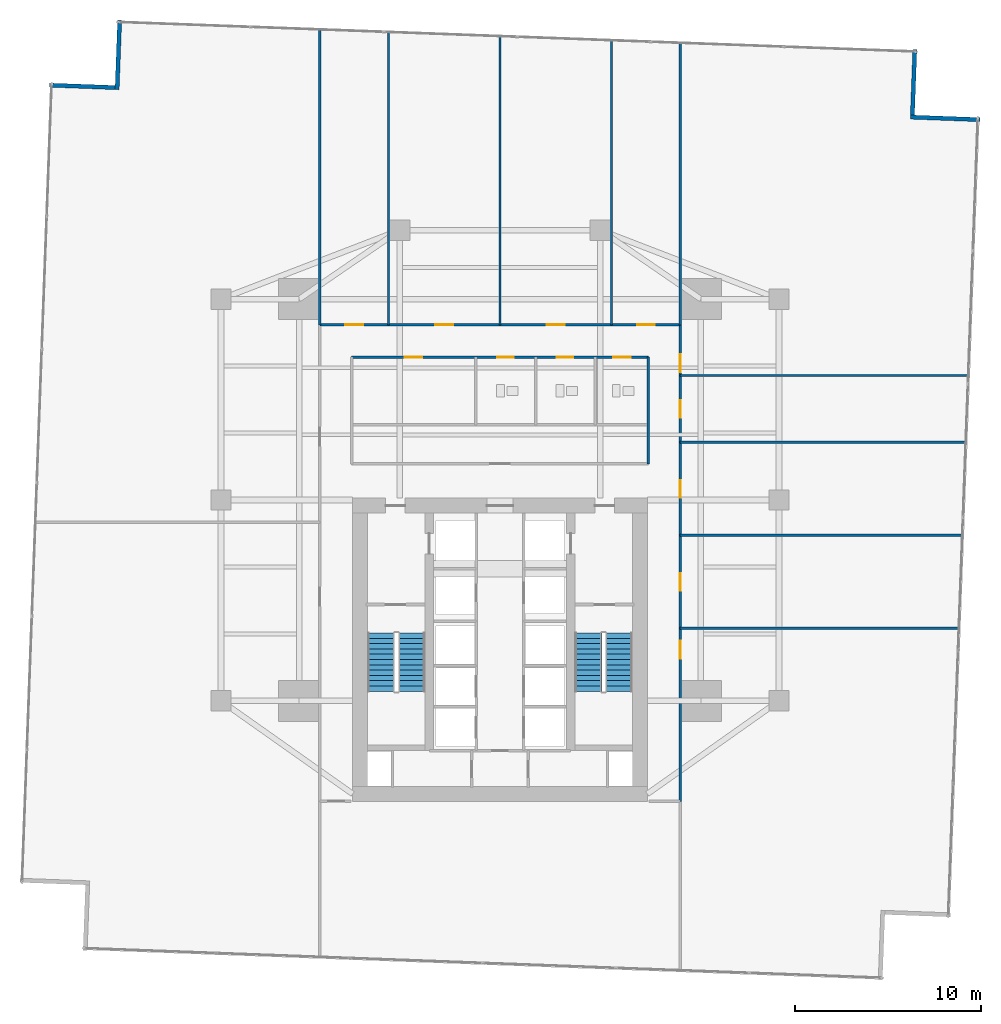
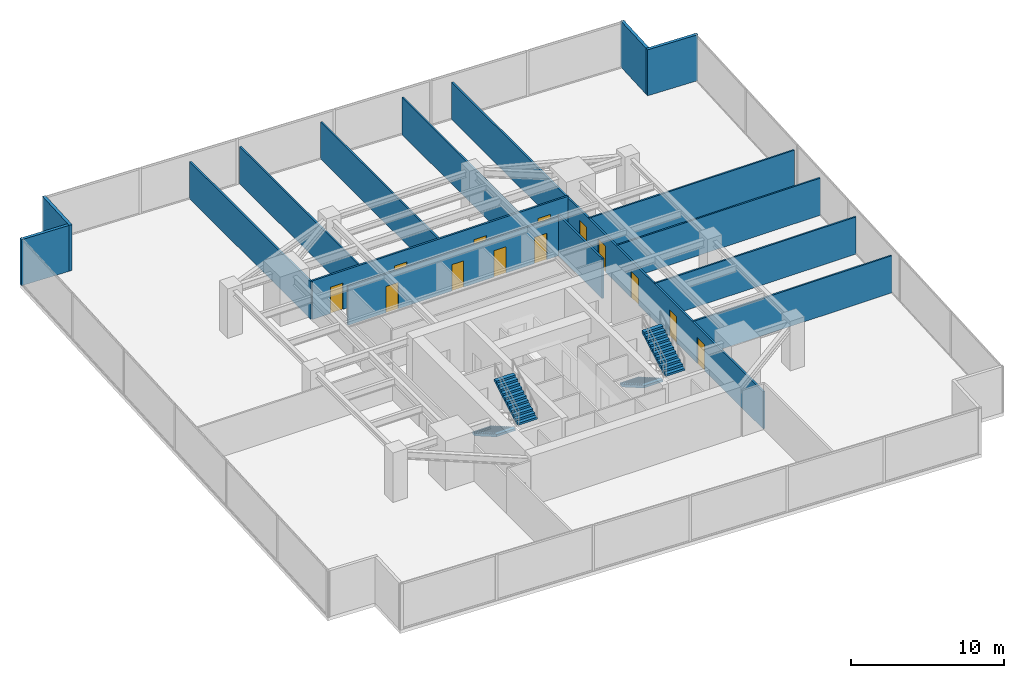
# One storey, part 28 of 30: 17 walls, 13 doors, 4 stair flights, 13 openings, 2 elements without a shape of their own.
"""IFC4 building model written with IfcOpenShell, lengths in metres."""

from ifc_helpers import new_model, si_unit, direction, frame, frame_2d, origin, place, context, subcontext, project, spatial, polyline, rectangle, outline, extrude, material, layer, layer_set, type_object, element, fill, aggregate, save


model = new_model("IFC4")

# Units and contexts
model_context = context("Model", 3, precision=1e-05, world=origin(), true_north=direction((0.0, 1.0)))
body_context = subcontext(model_context, "Body", "Model", "MODEL_VIEW")
ifc_project = project(units=[si_unit("LENGTHUNIT", "METRE"), si_unit("AREAUNIT", "SQUARE_METRE"), si_unit("VOLUMEUNIT", "CUBIC_METRE"), si_unit("PLANEANGLEUNIT", "RADIAN"), si_unit("MASSUNIT", "GRAM", prefix="KILO")], contexts=[model_context])

# Site, building, storey
site_placement = place(None, origin())
site = spatial("IfcSite", under=ifc_project, at=site_placement, CompositionType="ELEMENT")
building_placement = place(site_placement, origin())
building = spatial("IfcBuilding", under=site, at=building_placement, Name="Krantzveldt Concourse Tower", CompositionType="ELEMENT")
storey_placement = place(building_placement, frame((0.0, 0.0, 40.800048828125)))
storey = spatial("IfcBuildingStorey", under=building, at=storey_placement, Name="L09", CompositionType="ELEMENT", Elevation=40.800048828125)

# Walls
ifc_material_1 = material(Name="Anodised aluminium 6063-T6", Category="aluminium")
ifc_layer_1 = layer(ifc_material_1, 0.219970703125, Name="Anodised aluminium 6063-T6", Category="aluminium")
ifc_layer_set_1 = layer_set([ifc_layer_1], Name="Anodised aluminium 6063-T6 (WL-EXT-NOTCH220)")
wall_type_1 = type_object("IfcWallType", Name="WL-EXT-NOTCH220", PredefinedType="ELEMENTEDWALL", material=ifc_layer_set_1)
wall_1_placement = place(storey_placement, frame((15.307861328125, 48.87255859375, 0.0), z_axis=(0.0, 0.0, 1.0), x_axis=(-0.999313219865, 0.03705521019, 0.0)))
element("IfcWall", 1, at=wall_1_placement, inside=storey, type_object=wall_type_1, Name="EW-L09-NCH00", PredefinedType="ELEMENTEDWALL", context=body_context, shape_type="SweptSolid", body=[
    extrude(rectangle(XDim=3.52490234375, YDim=0.219970703125, at=frame_2d((1.762451171875, 0.0))), origin(), (0.0, 0.0, 1.0), 3.669921875),
])
wall_2_placement = place(storey_placement, frame((61.801025390625, 47.1474609375, 0.0), z_axis=(0.0, 0.0, 1.0), x_axis=(-0.999314208504, 0.037028538746, 0.0)))
element("IfcWall", 2, at=wall_2_placement, inside=storey, type_object=wall_type_1, Name="EW-L09-NCH08", PredefinedType="ELEMENTEDWALL", context=body_context, shape_type="SweptSolid", body=[
    extrude(rectangle(XDim=3.7451171875, YDim=0.219970703125, at=frame_2d((1.87255859375, 0.0))), origin(), (0.0, 0.0, 1.0), 3.669921875),
])
wall_3_placement = place(storey_placement, frame((58.172607421875, 47.39208984375, 0.0), z_axis=(0.0, 0.0, 1.0), x_axis=(0.03705521019, 0.999313219865, 0.0)))
element("IfcWall", 3, at=wall_3_placement, inside=storey, type_object=wall_type_1, Name="EW-L09-NCH09", PredefinedType="ELEMENTEDWALL", context=body_context, shape_type="SweptSolid", body=[
    extrude(rectangle(XDim=3.52490234375, YDim=0.219970703125, at=frame_2d((1.762451171875, 0.0))), origin(), (0.0, 0.0, 1.0), 3.669921875),
])
wall_4_placement = place(storey_placement, frame((15.552734375, 52.5009765625, 0.0), z_axis=(0.0, 0.0, 1.0), x_axis=(-0.037093640215, -0.999311794114, 0.0)))
element("IfcWall", 4, at=wall_4_placement, inside=storey, type_object=wall_type_1, Name="EW-L09-NCH11", PredefinedType="ELEMENTEDWALL", context=body_context, shape_type="SweptSolid", body=[
    extrude(rectangle(XDim=3.7451171875, YDim=0.219970703125, at=frame_2d((1.87255859375, 0.0))), origin(), (0.0, 0.0, 1.0), 3.669921875),
])
ifc_material_2 = material(Name="Fire-rated gypsum plasterboard on steel stud", Category="steel")
ifc_layer_2 = layer(ifc_material_2, 0.1201171875, Name="Fire-rated gypsum plasterboard on steel stud", Category="steel")
ifc_layer_set_2 = layer_set([ifc_layer_2], Name="Fire-rated gypsum plasterboard on steel stud (WL-PART-120)")
wall_type_2 = type_object("IfcWallType", Name="WL-PART-120", PredefinedType="PARTITIONING", material=ifc_layer_set_2)
wall_5_placement = place(storey_placement, frame((30.0, 36.1201171875, 0.0), z_axis=(0.0, 0.0, 1.0), x_axis=(0.0, 1.0, 0.0)))
element("IfcWall", 5, at=wall_5_placement, inside=storey, type_object=wall_type_2, Name="WP-L09-ND1", PredefinedType="PARTITIONING", context=body_context, shape_type="SweptSolid", body=[
    extrude(rectangle(XDim=15.729736328125, YDim=0.1201171875, at=frame_2d((7.86474609375, 0.0))), origin(), (0.0, 0.0, 1.0), 2.969970703125),
])
wall_6_placement = place(storey_placement, frame((36.0, 36.1201171875, 0.0), z_axis=(0.0, 0.0, 1.0), x_axis=(0.0, 1.0, 0.0)))
element("IfcWall", 6, at=wall_6_placement, inside=storey, type_object=wall_type_2, Name="WP-L09-ND2", PredefinedType="PARTITIONING", context=body_context, shape_type="SweptSolid", body=[
    extrude(rectangle(XDim=15.507080078125, YDim=0.1201171875, at=frame_2d((7.75341796875, 0.0))), origin(), (0.0, 0.0, 1.0), 2.969970703125),
])
wall_7_placement = place(storey_placement, frame((42.0, 36.1201171875, 0.0), z_axis=(0.0, 0.0, 1.0), x_axis=(0.0, 1.0, 0.0)))
element("IfcWall", 7, at=wall_7_placement, inside=storey, type_object=wall_type_2, Name="WP-L09-ND3", PredefinedType="PARTITIONING", context=body_context, shape_type="SweptSolid", body=[
    extrude(rectangle(XDim=15.284423828125, YDim=0.1201171875, at=frame_2d((7.64208984375, 0.0))), origin(), (0.0, 0.0, 1.0), 2.969970703125),
])
wall_8_placement = place(storey_placement, frame((45.679931640625, 19.800048828125, 0.0), z_axis=(0.0, 0.0, 1.0), x_axis=(1.0, 0.0, 0.0)))
element("IfcWall", 8, at=wall_8_placement, inside=storey, type_object=wall_type_2, Name="WP-L09-ED1", PredefinedType="PARTITIONING", context=body_context, shape_type="SweptSolid", body=[
    extrude(rectangle(XDim=14.9912109375, YDim=0.1201171875, at=frame_2d((7.49560546875, 0.0))), origin(), (0.0, 0.0, 1.0), 2.969970703125),
])
wall_9_placement = place(storey_placement, frame((45.679931640625, 24.800048828125, 0.0), z_axis=(0.0, 0.0, 1.0), x_axis=(1.0, 0.0, 0.0)))
element("IfcWall", 9, at=wall_9_placement, inside=storey, type_object=wall_type_2, Name="WP-L09-ED2", PredefinedType="PARTITIONING", context=body_context, shape_type="SweptSolid", body=[
    extrude(rectangle(XDim=15.1767578125, YDim=0.1201171875, at=frame_2d((7.58837890625, 0.0))), origin(), (0.0, 0.0, 1.0), 2.969970703125),
])
wall_10_placement = place(storey_placement, frame((45.679931640625, 29.800048828125, 0.0), z_axis=(0.0, 0.0, 1.0), x_axis=(1.0, 0.0, 0.0)))
element("IfcWall", 10, at=wall_10_placement, inside=storey, type_object=wall_type_2, Name="WP-L09-ED3", PredefinedType="PARTITIONING", context=body_context, shape_type="SweptSolid", body=[
    extrude(rectangle(XDim=15.3623046875, YDim=0.1201171875, at=frame_2d((7.68115234375, 0.0))), origin(), (0.0, 0.0, 1.0), 2.969970703125),
])
wall_11_placement = place(storey_placement, frame((45.679931640625, 33.39990234375, 0.0), z_axis=(0.0, 0.0, 1.0), x_axis=(1.0, 0.0, 0.0)))
element("IfcWall", 11, at=wall_11_placement, inside=storey, type_object=wall_type_2, Name="WP-L09-ED4", PredefinedType="PARTITIONING", context=body_context, shape_type="SweptSolid", body=[
    extrude(rectangle(XDim=15.495849609375, YDim=0.1201171875, at=frame_2d((7.748046875, 0.0))), origin(), (0.0, 0.0, 1.0), 2.969970703125),
])

# Wall, openings, doors
ifc_layer_3 = layer(ifc_material_2, 0.139892578125, Name="Fire-rated gypsum plasterboard on steel stud", Category="steel")
ifc_layer_set_3 = layer_set([ifc_layer_3], Name="Fire-rated gypsum plasterboard on steel stud (WL-PART-140)")
wall_type_3 = type_object("IfcWallType", Name="WL-PART-140", PredefinedType="PARTITIONING", material=ifc_layer_set_3)
wall_12_placement = place(storey_placement, frame((28.02001953125, 34.3798828125, 0.0), z_axis=(0.0, 0.0, 1.0), x_axis=(1.0, 0.0, 0.0)))
wall_12 = element("IfcWall", 12, at=wall_12_placement, inside=storey, type_object=wall_type_3, Name="WP-L09-ISLN", PredefinedType="PARTITIONING", context=body_context, shape_type="SweptSolid", body=[
    extrude(rectangle(XDim=15.9599609375, YDim=0.139892578125, at=frame_2d((7.97998046875, 0.0))), origin(), (0.0, 0.0, 1.0), 3.079833984375),
])
opening_1_placement = place(wall_12_placement, frame((7.830078125, 0.0, 0.0)))
opening_1 = element("IfcOpeningElement", 13, at=opening_1_placement, cuts=wall_12, Name="Opening D-IN090", PredefinedType="OPENING", context=body_context, shape_type="SweptSolid", body=[
    extrude(rectangle(XDim=0.89990234375, YDim=2.10009765625, at=frame_2d((0.449951171875, 1.050048828125))), frame((0.0, 0.080078125, 0.0), z_axis=(0.0, -1.0, 0.0), x_axis=(1.0, 0.0, 0.0)), (0.0, 0.0, 1.0), 0.159912109375),
])
opening_2_placement = place(wall_12_placement, frame((11.030029296875, 0.0, 0.0)))
opening_2 = element("IfcOpeningElement", 14, at=opening_2_placement, cuts=wall_12, Name="Opening D-IN090", PredefinedType="OPENING", context=body_context, shape_type="SweptSolid", body=[
    extrude(rectangle(XDim=0.89990234375, YDim=2.10009765625, at=frame_2d((0.449951171875, 1.050048828125))), frame((0.0, 0.080078125, 0.0), z_axis=(0.0, -1.0, 0.0), x_axis=(1.0, 0.0, 0.0)), (0.0, 0.0, 1.0), 0.159912109375),
])
opening_3_placement = place(wall_12_placement, frame((14.054931640625, 0.0, 0.0)))
opening_3 = element("IfcOpeningElement", 15, at=opening_3_placement, cuts=wall_12, Name="Opening D-IN095", PredefinedType="OPENING", context=body_context, shape_type="SweptSolid", body=[
    extrude(rectangle(XDim=0.949951171875, YDim=2.10009765625, at=frame_2d((0.47509765625, 1.050048828125))), frame((0.0, 0.080078125, 0.0), z_axis=(0.0, -1.0, 0.0), x_axis=(1.0, 0.0, 0.0)), (0.0, 0.0, 1.0), 0.159912109375),
])
opening_4_placement = place(wall_12_placement, frame((2.85498046875, 0.0, 0.0)))
opening_4 = element("IfcOpeningElement", 16, at=opening_4_placement, cuts=wall_12, Name="Opening D-IN095", PredefinedType="OPENING", context=body_context, shape_type="SweptSolid", body=[
    extrude(rectangle(XDim=0.949951171875, YDim=2.10009765625, at=frame_2d((0.47509765625, 1.050048828125))), frame((0.0, 0.080078125, 0.0), z_axis=(0.0, -1.0, 0.0), x_axis=(1.0, 0.0, 0.0)), (0.0, 0.0, 1.0), 0.159912109375),
])
ifc_material_3 = material(Name="Hardwood timber", Category="wood")
door_type_1 = type_object("IfcDoorType", Name="DR-INT-900", OperationType="SINGLE_SWING_LEFT", PredefinedType="DOOR", material=ifc_material_3)
door_1_placement = place(opening_1_placement, origin())
door_1 = element("IfcDoor", 17, at=door_1_placement, inside=storey, type_object=door_type_1, Name="DR-L09-WCM", OperationType="SINGLE_SWING_LEFT", OverallHeight=2.10009765625, OverallWidth=0.89990234375, PredefinedType="DOOR", context=body_context, shape_type="SweptSolid", body=[
    extrude(rectangle(XDim=0.89990234375, YDim=2.10009765625, at=frame_2d((0.449951171875, 1.050048828125))), frame((0.0, 0.02490234375, 0.0), z_axis=(0.0, -1.0, 0.0), x_axis=(1.0, 0.0, 0.0)), (0.0, 0.0, 1.0), 0.050048828125),
])
fill(opening_1, door_1)
door_2_placement = place(opening_2_placement, origin())
door_2 = element("IfcDoor", 18, at=door_2_placement, inside=storey, type_object=door_type_1, Name="DR-L09-WCF", OperationType="SINGLE_SWING_RIGHT", OverallHeight=2.10009765625, OverallWidth=0.89990234375, PredefinedType="DOOR", context=body_context, shape_type="SweptSolid", body=[
    extrude(rectangle(XDim=0.89990234375, YDim=2.10009765625, at=frame_2d((0.449951171875, 1.050048828125))), frame((0.0, 0.02490234375, 0.0), z_axis=(0.0, -1.0, 0.0), x_axis=(1.0, 0.0, 0.0)), (0.0, 0.0, 1.0), 0.050048828125),
])
fill(opening_2, door_2)
door_type_2 = type_object("IfcDoorType", Name="DR-INT-950", OperationType="SINGLE_SWING_LEFT", PredefinedType="DOOR", material=ifc_material_3)
door_3_placement = place(opening_3_placement, origin())
door_3 = element("IfcDoor", 19, at=door_3_placement, inside=storey, type_object=door_type_2, Name="DR-L09-WCA", OperationType="SINGLE_SWING_LEFT", OverallHeight=2.10009765625, OverallWidth=0.949951171875, PredefinedType="DOOR", context=body_context, shape_type="SweptSolid", body=[
    extrude(rectangle(XDim=0.949951171875, YDim=2.10009765625, at=frame_2d((0.47509765625, 1.050048828125))), frame((0.0, 0.02490234375, 0.0), z_axis=(0.0, -1.0, 0.0), x_axis=(1.0, 0.0, 0.0)), (0.0, 0.0, 1.0), 0.050048828125),
])
fill(opening_3, door_3)
door_4_placement = place(opening_4_placement, origin())
door_4 = element("IfcDoor", 20, at=door_4_placement, inside=storey, type_object=door_type_2, Name="DR-L09-PNT", OperationType="SINGLE_SWING_RIGHT", OverallHeight=2.10009765625, OverallWidth=0.949951171875, PredefinedType="DOOR", context=body_context, shape_type="SweptSolid", body=[
    extrude(rectangle(XDim=0.949951171875, YDim=2.10009765625, at=frame_2d((0.47509765625, 1.050048828125))), frame((0.0, 0.02490234375, 0.0), z_axis=(0.0, -1.0, 0.0), x_axis=(1.0, 0.0, 0.0)), (0.0, 0.0, 1.0), 0.050048828125),
])
fill(opening_4, door_4)

# Wall
wall_13_placement = place(storey_placement, frame((43.97998046875, 28.639892578125, 0.0), z_axis=(0.0, 0.0, 1.0), x_axis=(0.0, 1.0, 0.0)))
element("IfcWall", 21, at=wall_13_placement, inside=storey, type_object=wall_type_3, Name="WP-L09-ISLE", PredefinedType="PARTITIONING", context=body_context, shape_type="SweptSolid", body=[
    extrude(rectangle(XDim=5.739990234375, YDim=0.139892578125, at=frame_2d((2.8701171875, 0.0))), origin(), (0.0, 0.0, 1.0), 3.219970703125),
])

# Wall, openings, doors
wall_14_placement = place(storey_placement, frame((26.320068359375, 36.1201171875, 0.0), z_axis=(0.0, 0.0, 1.0), x_axis=(1.0, 0.0, 0.0)))
wall_14 = element("IfcWall", 22, at=wall_14_placement, inside=storey, type_object=wall_type_3, Name="WP-L09-CTOP", PredefinedType="PARTITIONING", context=body_context, shape_type="SweptSolid", body=[
    extrude(rectangle(XDim=19.35986328125, YDim=0.139892578125, at=frame_2d((9.679931640625, 0.0))), origin(), (0.0, 0.0, 1.0), 3.079833984375),
])
opening_5_placement = place(wall_14_placement, frame((1.364990234375, 0.0, 0.0)))
opening_5 = element("IfcOpeningElement", 23, at=opening_5_placement, cuts=wall_14, Name="Opening D-IN095", PredefinedType="OPENING", context=body_context, shape_type="SweptSolid", body=[
    extrude(rectangle(XDim=0.949951171875, YDim=2.10009765625, at=frame_2d((0.47509765625, 1.050048828125))), frame((0.0, 0.080078125, 0.0), z_axis=(0.0, -1.0, 0.0), x_axis=(1.0, 0.0, 0.0)), (0.0, 0.0, 1.0), 0.159912109375),
])
opening_6_placement = place(wall_14_placement, frame((6.205078125, 0.0, 0.0)))
opening_6 = element("IfcOpeningElement", 24, at=opening_6_placement, cuts=wall_14, Name="Opening D-IN095", PredefinedType="OPENING", context=body_context, shape_type="SweptSolid", body=[
    extrude(rectangle(XDim=0.949951171875, YDim=2.10009765625, at=frame_2d((0.47509765625, 1.050048828125))), frame((0.0, 0.080078125, 0.0), z_axis=(0.0, -1.0, 0.0), x_axis=(1.0, 0.0, 0.0)), (0.0, 0.0, 1.0), 0.159912109375),
])
opening_7_placement = place(wall_14_placement, frame((12.205078125, 0.0, 0.0)))
opening_7 = element("IfcOpeningElement", 25, at=opening_7_placement, cuts=wall_14, Name="Opening D-IN095", PredefinedType="OPENING", context=body_context, shape_type="SweptSolid", body=[
    extrude(rectangle(XDim=0.949951171875, YDim=2.10009765625, at=frame_2d((0.47509765625, 1.050048828125))), frame((0.0, 0.080078125, 0.0), z_axis=(0.0, -1.0, 0.0), x_axis=(1.0, 0.0, 0.0)), (0.0, 0.0, 1.0), 0.159912109375),
])
opening_8_placement = place(wall_14_placement, frame((17.044921875, 0.0, 0.0)))
opening_8 = element("IfcOpeningElement", 26, at=opening_8_placement, cuts=wall_14, Name="Opening D-IN095", PredefinedType="OPENING", context=body_context, shape_type="SweptSolid", body=[
    extrude(rectangle(XDim=0.949951171875, YDim=2.10009765625, at=frame_2d((0.47509765625, 1.050048828125))), frame((0.0, 0.080078125, 0.0), z_axis=(0.0, -1.0, 0.0), x_axis=(1.0, 0.0, 0.0)), (0.0, 0.0, 1.0), 0.159912109375),
])
door_5_placement = place(opening_5_placement, origin())
door_5 = element("IfcDoor", 27, at=door_5_placement, inside=storey, type_object=door_type_2, Name="DR-L09-NR1", OperationType="SINGLE_SWING_LEFT", OverallHeight=2.10009765625, OverallWidth=0.949951171875, PredefinedType="DOOR", context=body_context, shape_type="SweptSolid", body=[
    extrude(rectangle(XDim=0.949951171875, YDim=2.10009765625, at=frame_2d((0.47509765625, 1.050048828125))), frame((0.0, 0.02490234375, 0.0), z_axis=(0.0, -1.0, 0.0), x_axis=(1.0, 0.0, 0.0)), (0.0, 0.0, 1.0), 0.050048828125),
])
fill(opening_5, door_5)
door_6_placement = place(opening_6_placement, origin())
door_6 = element("IfcDoor", 28, at=door_6_placement, inside=storey, type_object=door_type_2, Name="DR-L09-NR2", OperationType="SINGLE_SWING_LEFT", OverallHeight=2.10009765625, OverallWidth=0.949951171875, PredefinedType="DOOR", context=body_context, shape_type="SweptSolid", body=[
    extrude(rectangle(XDim=0.949951171875, YDim=2.10009765625, at=frame_2d((0.47509765625, 1.050048828125))), frame((0.0, 0.02490234375, 0.0), z_axis=(0.0, -1.0, 0.0), x_axis=(1.0, 0.0, 0.0)), (0.0, 0.0, 1.0), 0.050048828125),
])
fill(opening_6, door_6)
door_7_placement = place(opening_7_placement, origin())
door_7 = element("IfcDoor", 29, at=door_7_placement, inside=storey, type_object=door_type_2, Name="DR-L09-NR3", OperationType="SINGLE_SWING_LEFT", OverallHeight=2.10009765625, OverallWidth=0.949951171875, PredefinedType="DOOR", context=body_context, shape_type="SweptSolid", body=[
    extrude(rectangle(XDim=0.949951171875, YDim=2.10009765625, at=frame_2d((0.47509765625, 1.050048828125))), frame((0.0, 0.02490234375, 0.0), z_axis=(0.0, -1.0, 0.0), x_axis=(1.0, 0.0, 0.0)), (0.0, 0.0, 1.0), 0.050048828125),
])
fill(opening_7, door_7)
door_8_placement = place(opening_8_placement, origin())
door_8 = element("IfcDoor", 30, at=door_8_placement, inside=storey, type_object=door_type_2, Name="DR-L09-NR4", OperationType="SINGLE_SWING_LEFT", OverallHeight=2.10009765625, OverallWidth=0.949951171875, PredefinedType="DOOR", context=body_context, shape_type="SweptSolid", body=[
    extrude(rectangle(XDim=0.949951171875, YDim=2.10009765625, at=frame_2d((0.47509765625, 1.050048828125))), frame((0.0, 0.02490234375, 0.0), z_axis=(0.0, -1.0, 0.0), x_axis=(1.0, 0.0, 0.0)), (0.0, 0.0, 1.0), 0.050048828125),
])
fill(opening_8, door_8)

wall_15_placement = place(storey_placement, frame((45.679931640625, 10.5, 0.0), z_axis=(0.0, 0.0, 1.0), x_axis=(0.0, 1.0, 0.0)))
wall_15 = element("IfcWall", 31, at=wall_15_placement, inside=storey, type_object=wall_type_3, Name="WP-L09-CEAST", PredefinedType="PARTITIONING", context=body_context, shape_type="SweptSolid", body=[
    extrude(rectangle(XDim=25.6201171875, YDim=0.139892578125, at=frame_2d((12.81005859375, 0.0))), origin(), (0.0, 0.0, 1.0), 2.969970703125),
])
opening_9_placement = place(wall_15_placement, frame((7.675048828125, 0.0, 0.0)))
opening_9 = element("IfcOpeningElement", 32, at=opening_9_placement, cuts=wall_15, Name="Opening D-IN095", PredefinedType="OPENING", context=body_context, shape_type="SweptSolid", body=[
    extrude(rectangle(XDim=0.949951171875, YDim=2.10009765625, at=frame_2d((0.47509765625, 1.050048828125))), frame((0.0, 0.080078125, 0.0), z_axis=(0.0, -1.0, 0.0), x_axis=(1.0, 0.0, 0.0)), (0.0, 0.0, 1.0), 0.159912109375),
])
opening_10_placement = place(wall_15_placement, frame((11.324951171875, 0.0, 0.0)))
opening_10 = element("IfcOpeningElement", 33, at=opening_10_placement, cuts=wall_15, Name="Opening D-IN095", PredefinedType="OPENING", context=body_context, shape_type="SweptSolid", body=[
    extrude(rectangle(XDim=0.949951171875, YDim=2.10009765625, at=frame_2d((0.47509765625, 1.050048828125))), frame((0.0, 0.080078125, 0.0), z_axis=(0.0, -1.0, 0.0), x_axis=(1.0, 0.0, 0.0)), (0.0, 0.0, 1.0), 0.159912109375),
])
opening_11_placement = place(wall_15_placement, frame((16.324951171875, 0.0, 0.0)))
opening_11 = element("IfcOpeningElement", 34, at=opening_11_placement, cuts=wall_15, Name="Opening D-IN095", PredefinedType="OPENING", context=body_context, shape_type="SweptSolid", body=[
    extrude(rectangle(XDim=0.949951171875, YDim=2.10009765625, at=frame_2d((0.47509765625, 1.050048828125))), frame((0.0, 0.080078125, 0.0), z_axis=(0.0, -1.0, 0.0), x_axis=(1.0, 0.0, 0.0)), (0.0, 0.0, 1.0), 0.159912109375),
])
opening_12_placement = place(wall_15_placement, frame((20.625, 0.0, 0.0)))
opening_12 = element("IfcOpeningElement", 35, at=opening_12_placement, cuts=wall_15, Name="Opening D-IN095", PredefinedType="OPENING", context=body_context, shape_type="SweptSolid", body=[
    extrude(rectangle(XDim=0.949951171875, YDim=2.10009765625, at=frame_2d((0.47509765625, 1.050048828125))), frame((0.0, 0.080078125, 0.0), z_axis=(0.0, -1.0, 0.0), x_axis=(1.0, 0.0, 0.0)), (0.0, 0.0, 1.0), 0.159912109375),
])
opening_13_placement = place(wall_15_placement, frame((23.074951171875, 0.0, 0.0)))
opening_13 = element("IfcOpeningElement", 36, at=opening_13_placement, cuts=wall_15, Name="Opening D-IN095", PredefinedType="OPENING", context=body_context, shape_type="SweptSolid", body=[
    extrude(rectangle(XDim=0.949951171875, YDim=2.10009765625, at=frame_2d((0.47509765625, 1.050048828125))), frame((0.0, 0.080078125, 0.0), z_axis=(0.0, -1.0, 0.0), x_axis=(1.0, 0.0, 0.0)), (0.0, 0.0, 1.0), 0.159912109375),
])
door_9_placement = place(opening_9_placement, origin())
door_9 = element("IfcDoor", 37, at=door_9_placement, inside=storey, type_object=door_type_2, Name="DR-L09-ER1", OperationType="SINGLE_SWING_LEFT", OverallHeight=2.10009765625, OverallWidth=0.949951171875, PredefinedType="DOOR", context=body_context, shape_type="SweptSolid", body=[
    extrude(rectangle(XDim=0.949951171875, YDim=2.10009765625, at=frame_2d((0.47509765625, 1.050048828125))), frame((0.0, 0.02490234375, 0.0), z_axis=(0.0, -1.0, 0.0), x_axis=(1.0, 0.0, 0.0)), (0.0, 0.0, 1.0), 0.050048828125),
])
fill(opening_9, door_9)
door_10_placement = place(opening_10_placement, origin())
door_10 = element("IfcDoor", 38, at=door_10_placement, inside=storey, type_object=door_type_2, Name="DR-L09-ER2", OperationType="SINGLE_SWING_LEFT", OverallHeight=2.10009765625, OverallWidth=0.949951171875, PredefinedType="DOOR", context=body_context, shape_type="SweptSolid", body=[
    extrude(rectangle(XDim=0.949951171875, YDim=2.10009765625, at=frame_2d((0.47509765625, 1.050048828125))), frame((0.0, 0.02490234375, 0.0), z_axis=(0.0, -1.0, 0.0), x_axis=(1.0, 0.0, 0.0)), (0.0, 0.0, 1.0), 0.050048828125),
])
fill(opening_10, door_10)
door_11_placement = place(opening_11_placement, origin())
door_11 = element("IfcDoor", 39, at=door_11_placement, inside=storey, type_object=door_type_2, Name="DR-L09-ER3", OperationType="SINGLE_SWING_LEFT", OverallHeight=2.10009765625, OverallWidth=0.949951171875, PredefinedType="DOOR", context=body_context, shape_type="SweptSolid", body=[
    extrude(rectangle(XDim=0.949951171875, YDim=2.10009765625, at=frame_2d((0.47509765625, 1.050048828125))), frame((0.0, 0.02490234375, 0.0), z_axis=(0.0, -1.0, 0.0), x_axis=(1.0, 0.0, 0.0)), (0.0, 0.0, 1.0), 0.050048828125),
])
fill(opening_11, door_11)
door_12_placement = place(opening_12_placement, origin())
door_12 = element("IfcDoor", 40, at=door_12_placement, inside=storey, type_object=door_type_2, Name="DR-L09-ER4", OperationType="SINGLE_SWING_LEFT", OverallHeight=2.10009765625, OverallWidth=0.949951171875, PredefinedType="DOOR", context=body_context, shape_type="SweptSolid", body=[
    extrude(rectangle(XDim=0.949951171875, YDim=2.10009765625, at=frame_2d((0.47509765625, 1.050048828125))), frame((0.0, 0.02490234375, 0.0), z_axis=(0.0, -1.0, 0.0), x_axis=(1.0, 0.0, 0.0)), (0.0, 0.0, 1.0), 0.050048828125),
])
fill(opening_12, door_12)
door_13_placement = place(opening_13_placement, origin())
door_13 = element("IfcDoor", 41, at=door_13_placement, inside=storey, type_object=door_type_2, Name="DR-L09-ER5", OperationType="SINGLE_SWING_LEFT", OverallHeight=2.10009765625, OverallWidth=0.949951171875, PredefinedType="DOOR", context=body_context, shape_type="SweptSolid", body=[
    extrude(rectangle(XDim=0.949951171875, YDim=2.10009765625, at=frame_2d((0.47509765625, 1.050048828125))), frame((0.0, 0.02490234375, 0.0), z_axis=(0.0, -1.0, 0.0), x_axis=(1.0, 0.0, 0.0)), (0.0, 0.0, 1.0), 0.050048828125),
])
fill(opening_13, door_13)

# Walls
wall_16_placement = place(storey_placement, frame((26.320068359375, 36.1201171875, 0.0), z_axis=(0.0, 0.0, 1.0), x_axis=(0.0, 1.0, 0.0)))
element("IfcWall", 42, at=wall_16_placement, inside=storey, type_object=wall_type_3, Name="WP-L09-NWL", PredefinedType="PARTITIONING", context=body_context, shape_type="SweptSolid", body=[
    extrude(rectangle(XDim=15.8662109375, YDim=0.139892578125, at=frame_2d((7.93310546875, 0.0))), origin(), (0.0, 0.0, 1.0), 2.969970703125),
])
wall_17_placement = place(storey_placement, frame((45.679931640625, 36.1201171875, 0.0), z_axis=(0.0, 0.0, 1.0), x_axis=(0.0, 1.0, 0.0)))
element("IfcWall", 43, at=wall_17_placement, inside=storey, type_object=wall_type_3, Name="WP-L09-NER", PredefinedType="PARTITIONING", context=body_context, shape_type="SweptSolid", body=[
    extrude(rectangle(XDim=15.14794921875, YDim=0.139892578125, at=frame_2d((7.573974609375, 0.0))), origin(), (0.0, 0.0, 1.0), 2.969970703125),
])

# Stair, stair flights
ifc_material_4 = material(Name="Precast concrete C40/50", Category="concrete")
stair_type = type_object("IfcStairType", Name="STR-CORE-DOGLEG", PredefinedType="HALF_TURN_STAIR", material=ifc_material_4)
stair_1_placement = place(storey_placement, origin())
stair_1 = element("IfcStair", 44, at=stair_1_placement, inside=storey, type_object=stair_type, Name="L09 Protected Escape Stair ST-1", PredefinedType="HALF_TURN_STAIR")
stair_flight_type = type_object("IfcStairFlightType", Name="STF-CORE-1450", PredefinedType="STRAIGHT", material=ifc_material_4)
stair_flight_1_placement = place(storey_placement, frame((29.60498046875, 19.550048828125, 0.0), z_axis=(0.0, 0.0, 1.0), x_axis=(0.0, -1.0, 0.0)))
stair_flight_1 = element("IfcStairFlight", 45, at=stair_flight_1_placement, type_object=stair_flight_type, Name="ST-1 flight 1", NumberOfRisers=12, NumberOfTreads=11, PredefinedType="STRAIGHT", RiserHeight=0.164583333, TreadLength=0.285, context=body_context, shape_type="SweptSolid", body=[
    extrude(outline(polyline([(0.0, 0.0), (0.0, 0.16455078125), (0.284912109375, 0.16455078125), (0.284912109375, 0.3291015625), (0.570068359375, 0.3291015625), (0.570068359375, 0.49365234375), (0.85498046875, 0.49365234375), (0.85498046875, 0.658447265625), (1.139892578125, 0.658447265625), (1.139892578125, 0.822998046875), (1.425048828125, 0.822998046875), (1.425048828125, 0.987548828125), (1.7099609375, 0.987548828125), (1.7099609375, 1.152099609375), (1.9951171875, 1.152099609375), (1.9951171875, 1.316650390625), (2.280029296875, 1.316650390625), (2.280029296875, 1.481201171875), (2.56494140625, 1.481201171875), (2.56494140625, 1.645751953125), (2.85009765625, 1.645751953125), (2.85009765625, 1.810302734375), (3.135009765625, 1.810302734375), (3.135009765625, 1.97509765625), (3.135009765625, 1.63720703125), (0.2998046875, 0.0), (0.0, 0.0)])), frame((0.0, 0.72509765625, 0.0), z_axis=(0.0, -1.0, 0.0), x_axis=(1.0, 0.0, 0.0)), (0.0, 0.0, 1.0), 1.449951171875),
])
stair_flight_2_placement = place(storey_placement, frame((31.2548828125, 16.4150390625, 1.974853515625), z_axis=(0.0, 0.0, 1.0), x_axis=(0.0, 1.0, 0.0)))
stair_flight_2 = element("IfcStairFlight", 46, at=stair_flight_2_placement, type_object=stair_flight_type, Name="ST-1 flight 2", NumberOfRisers=12, NumberOfTreads=11, PredefinedType="STRAIGHT", RiserHeight=0.164583333, TreadLength=0.285, context=body_context, shape_type="SweptSolid", body=[
    extrude(outline(polyline([(0.0, 0.0), (0.0, 0.16455078125), (0.284912109375, 0.16455078125), (0.284912109375, 0.3291015625), (0.570068359375, 0.3291015625), (0.570068359375, 0.49365234375), (0.85498046875, 0.49365234375), (0.85498046875, 0.658447265625), (1.139892578125, 0.658447265625), (1.139892578125, 0.822998046875), (1.425048828125, 0.822998046875), (1.425048828125, 0.987548828125), (1.7099609375, 0.987548828125), (1.7099609375, 1.152099609375), (1.9951171875, 1.152099609375), (1.9951171875, 1.316650390625), (2.280029296875, 1.316650390625), (2.280029296875, 1.481201171875), (2.56494140625, 1.481201171875), (2.56494140625, 1.645751953125), (2.85009765625, 1.645751953125), (2.85009765625, 1.810302734375), (3.135009765625, 1.810302734375), (3.135009765625, 1.97509765625), (3.135009765625, 1.63720703125), (0.2998046875, 0.0), (0.0, 0.0)])), frame((0.0, 0.72509765625, 0.0), z_axis=(0.0, -1.0, 0.0), x_axis=(1.0, 0.0, 0.0)), (0.0, 0.0, 1.0), 1.449951171875),
])
aggregate(stair_1, [stair_flight_1, stair_flight_2])

stair_2_placement = place(storey_placement, origin())
stair_2 = element("IfcStair", 47, at=stair_2_placement, inside=storey, type_object=stair_type, Name="L09 Protected Escape Stair ST-2", PredefinedType="HALF_TURN_STAIR")
stair_flight_3_placement = place(storey_placement, frame((40.7451171875, 19.550048828125, 0.0), z_axis=(0.0, 0.0, 1.0), x_axis=(0.0, -1.0, 0.0)))
stair_flight_3 = element("IfcStairFlight", 48, at=stair_flight_3_placement, type_object=stair_flight_type, Name="ST-2 flight 1", NumberOfRisers=12, NumberOfTreads=11, PredefinedType="STRAIGHT", RiserHeight=0.164583333, TreadLength=0.285, context=body_context, shape_type="SweptSolid", body=[
    extrude(outline(polyline([(0.0, 0.0), (0.0, 0.16455078125), (0.284912109375, 0.16455078125), (0.284912109375, 0.3291015625), (0.570068359375, 0.3291015625), (0.570068359375, 0.49365234375), (0.85498046875, 0.49365234375), (0.85498046875, 0.658447265625), (1.139892578125, 0.658447265625), (1.139892578125, 0.822998046875), (1.425048828125, 0.822998046875), (1.425048828125, 0.987548828125), (1.7099609375, 0.987548828125), (1.7099609375, 1.152099609375), (1.9951171875, 1.152099609375), (1.9951171875, 1.316650390625), (2.280029296875, 1.316650390625), (2.280029296875, 1.481201171875), (2.56494140625, 1.481201171875), (2.56494140625, 1.645751953125), (2.85009765625, 1.645751953125), (2.85009765625, 1.810302734375), (3.135009765625, 1.810302734375), (3.135009765625, 1.97509765625), (3.135009765625, 1.63720703125), (0.2998046875, 0.0), (0.0, 0.0)])), frame((0.0, 0.72509765625, 0.0), z_axis=(0.0, -1.0, 0.0), x_axis=(1.0, 0.0, 0.0)), (0.0, 0.0, 1.0), 1.449951171875),
])
stair_flight_4_placement = place(storey_placement, frame((42.39501953125, 16.4150390625, 1.974853515625), z_axis=(0.0, 0.0, 1.0), x_axis=(0.0, 1.0, 0.0)))
stair_flight_4 = element("IfcStairFlight", 49, at=stair_flight_4_placement, type_object=stair_flight_type, Name="ST-2 flight 2", NumberOfRisers=12, NumberOfTreads=11, PredefinedType="STRAIGHT", RiserHeight=0.164583333, TreadLength=0.285, context=body_context, shape_type="SweptSolid", body=[
    extrude(outline(polyline([(0.0, 0.0), (0.0, 0.16455078125), (0.284912109375, 0.16455078125), (0.284912109375, 0.3291015625), (0.570068359375, 0.3291015625), (0.570068359375, 0.49365234375), (0.85498046875, 0.49365234375), (0.85498046875, 0.658447265625), (1.139892578125, 0.658447265625), (1.139892578125, 0.822998046875), (1.425048828125, 0.822998046875), (1.425048828125, 0.987548828125), (1.7099609375, 0.987548828125), (1.7099609375, 1.152099609375), (1.9951171875, 1.152099609375), (1.9951171875, 1.316650390625), (2.280029296875, 1.316650390625), (2.280029296875, 1.481201171875), (2.56494140625, 1.481201171875), (2.56494140625, 1.645751953125), (2.85009765625, 1.645751953125), (2.85009765625, 1.810302734375), (3.135009765625, 1.810302734375), (3.135009765625, 1.97509765625), (3.135009765625, 1.63720703125), (0.2998046875, 0.0), (0.0, 0.0)])), frame((0.0, 0.72509765625, 0.0), z_axis=(0.0, -1.0, 0.0), x_axis=(1.0, 0.0, 0.0)), (0.0, 0.0, 1.0), 1.449951171875),
])
aggregate(stair_2, [stair_flight_3, stair_flight_4])

save(model, "model.ifc")
